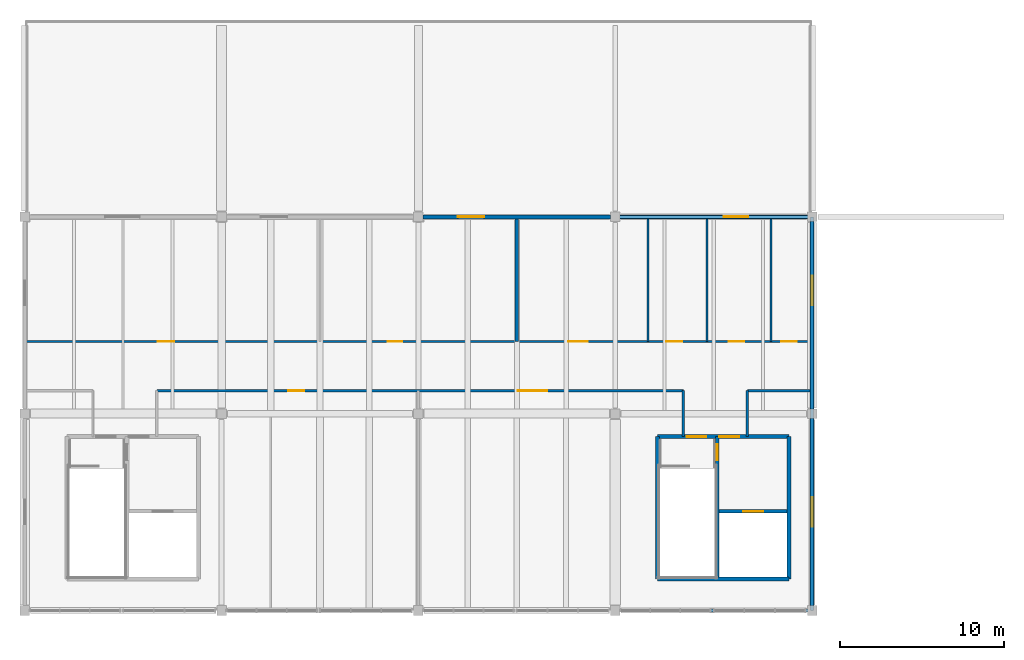
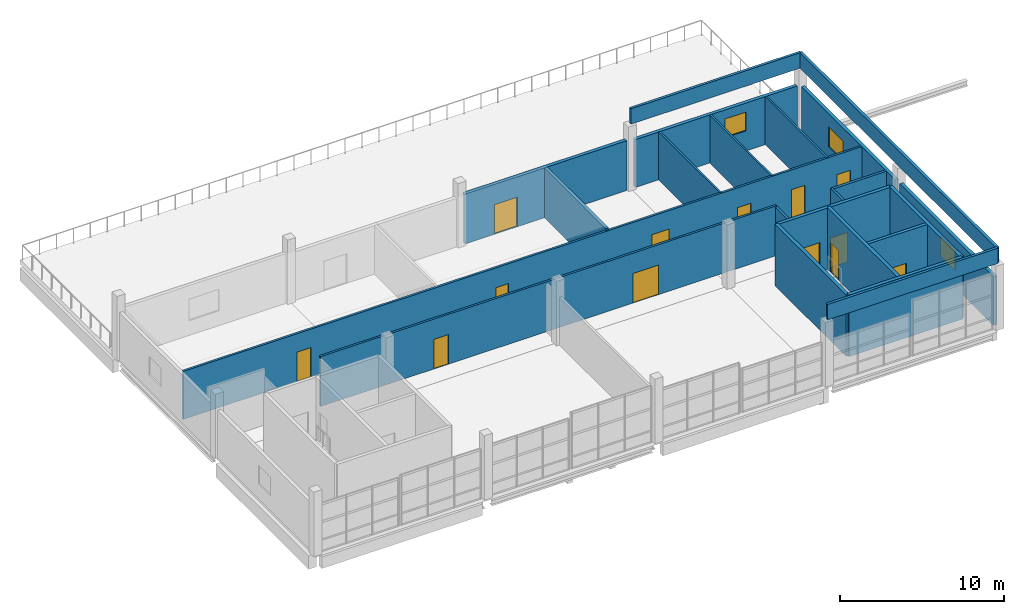
# One storey, part 7 of 8: 22 walls, 13 doors, 3 windows, 16 openings.
"""IFC4 building model written with IfcOpenShell, lengths in metres."""

from ifc_helpers import new_model, si_unit, direction, frame, frame_2d, origin, place, context, subcontext, project, spatial, rectangle, extrude, material, layer, layer_set, type_object, element, fill, save


model = new_model("IFC4")

# Units and contexts
model_context = context("Model", 3, precision=1e-05, world=origin(), true_north=direction((0.0, 1.0)))
body_context = subcontext(model_context, "Body", "Model", "MODEL_VIEW")
ifc_project = project(units=[si_unit("LENGTHUNIT", "METRE"), si_unit("AREAUNIT", "SQUARE_METRE"), si_unit("VOLUMEUNIT", "CUBIC_METRE"), si_unit("PLANEANGLEUNIT", "RADIAN"), si_unit("MASSUNIT", "GRAM", prefix="KILO")], contexts=[model_context])

# Site, building, storey
site_placement = place(None, origin())
site = spatial("IfcSite", under=ifc_project, at=site_placement, CompositionType="ELEMENT")
building_placement = place(site_placement, origin())
building = spatial("IfcBuilding", under=site, at=building_placement, Name="Kamomehara Wholesale Market", CompositionType="ELEMENT")
storey_placement = place(building_placement, frame((0.0, 0.0, 16.199951171875)))
storey = spatial("IfcBuildingStorey", under=building, at=storey_placement, Name="L03", CompositionType="ELEMENT", Elevation=16.199951171875)

# Wall, opening, door
ifc_material_1 = material(Name="Precast concrete Fc45 (C40/50)", Category="concrete")
ifc_layer_1 = layer(ifc_material_1, 0.239990234375)
ifc_layer_set_1 = layer_set([ifc_layer_1], Name="Precast concrete Fc45 (C40/50)")
wall_type_1 = type_object("IfcWallType", Name="EW-PC-240", PredefinedType="SOLIDWALL", material=ifc_layer_set_1)
wall_1_placement = place(storey_placement, frame((132.2900390625, 36.0, 0.0), z_axis=(0.0, 0.0, 1.0), x_axis=(1.0, 0.0, 0.0)))
wall_1 = element("IfcWall", 1, at=wall_1_placement, inside=storey, type_object=wall_type_1, Name="Exterior wall EW-PC-240 120", PredefinedType="SOLIDWALL", context=body_context, shape_type="SweptSolid", body=[
    extrude(rectangle(XDim=11.419921875, YDim=0.239990234375, at=frame_2d((5.7099609375, 0.0))), origin(), (0.0, 0.0, 1.0), 3.7080078125),
])
opening_1_placement = place(wall_1_placement, frame((2.110107421875, 0.0, 0.0)))
opening_1 = element("IfcOpeningElement", 2, at=opening_1_placement, cuts=wall_1, Name="Opening TD-L03-132", PredefinedType="OPENING", context=body_context, shape_type="SweptSolid", body=[
    extrude(rectangle(XDim=1.60009765625, YDim=2.199951171875, at=frame_2d((0.800048828125, 1.10009765625))), frame((0.0, 0.134765625, 0.0), z_axis=(0.0, -1.0, 0.0), x_axis=(1.0, 0.0, 0.0)), (0.0, 0.0, 1.0), 0.269775390625),
])
ifc_material_2 = material(Name="Anodised aluminium 6063-T5", Category="aluminium")
door_type_1 = type_object("IfcDoorType", Name="EDR-1600x2200", OperationType="NOTDEFINED", PredefinedType="DOOR", material=ifc_material_2)
door_1_placement = place(opening_1_placement, origin())
door_1 = element("IfcDoor", 3, at=door_1_placement, inside=storey, type_object=door_type_1, Name="Terrace 3 harbour-view door TD-L03-132", OperationType="SINGLE_SWING_LEFT", OverallHeight=2.199951171875, OverallWidth=1.60009765625, PredefinedType="DOOR", context=body_context, shape_type="SweptSolid", body=[
    extrude(rectangle(XDim=1.60009765625, YDim=2.199951171875, at=frame_2d((0.800048828125, 1.10009765625))), frame((0.0, 0.02490234375, 0.0), z_axis=(0.0, -1.0, 0.0), x_axis=(1.0, 0.0, 0.0)), (0.0, 0.0, 1.0), 0.050048828125),
])
fill(opening_1, door_1)

# Wall, opening, window
wall_2_placement = place(storey_placement, frame((144.2900390625, 36.0, 0.0), z_axis=(0.0, 0.0, 1.0), x_axis=(1.0, 0.0, 0.0)))
wall_2 = element("IfcWall", 4, at=wall_2_placement, inside=storey, type_object=wall_type_1, Name="Exterior wall EW-PC-240 121", PredefinedType="SOLIDWALL", context=body_context, shape_type="SweptSolid", body=[
    extrude(rectangle(XDim=11.419921875, YDim=0.239990234375, at=frame_2d((5.7099609375, 0.0))), origin(), (0.0, 0.0, 1.0), 3.568115234375),
])
opening_2_placement = place(wall_2_placement, frame((6.31005859375, 0.0, 1.5)))
opening_2 = element("IfcOpeningElement", 5, at=opening_2_placement, cuts=wall_2, Name="Opening WN-L03-035", PredefinedType="OPENING", context=body_context, shape_type="SweptSolid", body=[
    extrude(rectangle(XDim=1.5, YDim=1.39990234375, at=frame_2d((0.75, 0.699951171875))), frame((0.0, 0.134765625, 0.0), z_axis=(0.0, -1.0, 0.0), x_axis=(1.0, 0.0, 0.0)), (0.0, 0.0, 1.0), 0.269775390625),
])
ifc_material_3 = material(Name="Solar-control Low-E double glazing", Category="glass")
window_type_1 = type_object("IfcWindowType", Name="WIN-1500x1400", PartitioningType="SINGLE_PANEL", PredefinedType="WINDOW", material=ifc_material_3)
window_1_placement = place(opening_2_placement, origin())
window_1 = element("IfcWindow", 6, at=window_1_placement, inside=storey, type_object=window_type_1, Name="Exterior window WN-L03-035", OverallHeight=1.39990234375, OverallWidth=1.5, PartitioningType="SINGLE_PANEL", PredefinedType="WINDOW", context=body_context, shape_type="SweptSolid", body=[
    extrude(rectangle(XDim=1.5, YDim=1.39990234375, at=frame_2d((0.75, 0.699951171875))), frame((0.0, 0.030029296875, 0.0), z_axis=(0.0, -1.0, 0.0), x_axis=(1.0, 0.0, 0.0)), (0.0, 0.0, 1.0), 0.06005859375),
])
fill(opening_2, window_1)

wall_3_placement = place(storey_placement, frame((156.0, 23.7099609375, 0.0), z_axis=(0.0, 0.0, 1.0), x_axis=(0.0, -1.0, 0.0)))
wall_3 = element("IfcWall", 7, at=wall_3_placement, inside=storey, type_object=wall_type_1, Name="Exterior wall EW-PC-240 122", PredefinedType="SOLIDWALL", context=body_context, shape_type="SweptSolid", body=[
    extrude(rectangle(XDim=11.419921875, YDim=0.239990234375, at=frame_2d((5.7099609375, 0.0))), origin(), (0.0, 0.0, 1.0), 3.6181640625),
])
opening_3_placement = place(wall_3_placement, frame((4.81005859375, 0.0, 1.10009765625)))
opening_3 = element("IfcOpeningElement", 8, at=opening_3_placement, cuts=wall_3, Name="Opening WN-L03-036", PredefinedType="OPENING", context=body_context, shape_type="SweptSolid", body=[
    extrude(rectangle(XDim=1.800048828125, YDim=1.5, at=frame_2d((0.89990234375, 0.75))), frame((0.0, 0.134765625, 0.0), z_axis=(0.0, -1.0, 0.0), x_axis=(1.0, 0.0, 0.0)), (0.0, 0.0, 1.0), 0.269775390625),
])
ifc_material_4 = material(Name="Solar-control Low-E double glazing", Category="glass")
window_type_2 = type_object("IfcWindowType", Name="WIN-1800x1500", PartitioningType="SINGLE_PANEL", PredefinedType="WINDOW", material=ifc_material_4)
window_2_placement = place(opening_3_placement, origin())
window_2 = element("IfcWindow", 9, at=window_2_placement, inside=storey, type_object=window_type_2, Name="Exterior window WN-L03-036", OverallHeight=1.5, OverallWidth=1.800048828125, PartitioningType="SINGLE_PANEL", PredefinedType="WINDOW", context=body_context, shape_type="SweptSolid", body=[
    extrude(rectangle(XDim=1.800048828125, YDim=1.5, at=frame_2d((0.89990234375, 0.75))), frame((0.0, 0.030029296875, 0.0), z_axis=(0.0, -1.0, 0.0), x_axis=(1.0, 0.0, 0.0)), (0.0, 0.0, 1.0), 0.06005859375),
])
fill(opening_3, window_2)

wall_4_placement = place(storey_placement, frame((156.0, 35.7099609375, 0.0), z_axis=(0.0, 0.0, 1.0), x_axis=(0.0, -1.0, 0.0)))
wall_4 = element("IfcWall", 10, at=wall_4_placement, inside=storey, type_object=wall_type_1, Name="Exterior wall EW-PC-240 123", PredefinedType="SOLIDWALL", context=body_context, shape_type="SweptSolid", body=[
    extrude(rectangle(XDim=11.419921875, YDim=0.239990234375, at=frame_2d((5.7099609375, 0.0))), origin(), (0.0, 0.0, 1.0), 3.568115234375),
])
opening_4_placement = place(wall_4_placement, frame((3.31005859375, 0.0, 1.10009765625)))
opening_4 = element("IfcOpeningElement", 11, at=opening_4_placement, cuts=wall_4, Name="Opening WN-L03-037", PredefinedType="OPENING", context=body_context, shape_type="SweptSolid", body=[
    extrude(rectangle(XDim=1.800048828125, YDim=1.5, at=frame_2d((0.89990234375, 0.75))), frame((0.0, 0.134765625, 0.0), z_axis=(0.0, -1.0, 0.0), x_axis=(1.0, 0.0, 0.0)), (0.0, 0.0, 1.0), 0.269775390625),
])
window_3_placement = place(opening_4_placement, origin())
window_3 = element("IfcWindow", 12, at=window_3_placement, inside=storey, type_object=window_type_2, Name="Exterior window WN-L03-037", OverallHeight=1.5, OverallWidth=1.800048828125, PartitioningType="SINGLE_PANEL", PredefinedType="WINDOW", context=body_context, shape_type="SweptSolid", body=[
    extrude(rectangle(XDim=1.800048828125, YDim=1.5, at=frame_2d((0.89990234375, 0.75))), frame((0.0, 0.030029296875, 0.0), z_axis=(0.0, -1.0, 0.0), x_axis=(1.0, 0.0, 0.0)), (0.0, 0.0, 1.0), 0.06005859375),
])
fill(opening_4, window_3)

# Walls
ifc_material_5 = material(Name="Precast concrete Fc45 (C40/50)", Category="concrete")
ifc_layer_2 = layer(ifc_material_5, 0.179931640625)
ifc_layer_set_2 = layer_set([ifc_layer_2], Name="Precast concrete Fc45 (C40/50)")
wall_type_2 = type_object("IfcWallType", Name="EW-PRP-180", PredefinedType="PARAPET", material=ifc_layer_set_2)
for number, where, z_axis, x_axis, name in (
    (13, (144.0, 12.0, 4.800048828125), (0.0, 0.0, 1.0), (1.0, 0.0, 0.0), "Roof parapet 4"),
    (14, (156.0, 36.0, 4.800048828125), (0.0, 0.0, 1.0), (-1.0, 0.0, 0.0), "Roof parapet 6"),
):
    element("IfcWall", number, at=place(storey_placement, frame(where, z_axis=z_axis, x_axis=x_axis)), inside=storey, type_object=wall_type_2, Name=name, PredefinedType="PARAPET", context=body_context, shape_type="SweptSolid", body=[
        extrude(rectangle(XDim=12.0, YDim=0.179931640625, at=frame_2d((6.0, 0.0))), origin(), (0.0, 0.0, 1.0), 1.14990234375),
    ])
ifc_material_6 = material(Name="Precast concrete Fc45 (C40/50)", Category="concrete")
ifc_layer_3 = layer(ifc_material_6, 0.199951171875)
ifc_layer_set_3 = layer_set([ifc_layer_3], Name="Precast concrete Fc45 (C40/50)")
wall_type_3 = type_object("IfcWallType", Name="EW-PRP-200", PredefinedType="PARAPET", material=ifc_layer_set_3)
wall_5_placement = place(storey_placement, frame((156.0, 12.0, 4.800048828125), z_axis=(0.0, 0.0, 1.0), x_axis=(0.0, 1.0, 0.0)))
element("IfcWall", 15, at=wall_5_placement, inside=storey, type_object=wall_type_3, Name="Roof parapet 5", PredefinedType="PARAPET", context=body_context, shape_type="SweptSolid", body=[
    extrude(rectangle(XDim=24.0, YDim=0.199951171875, at=frame_2d((12.0, 0.0))), origin(), (0.0, 0.0, 1.0), 1.14990234375),
])
ifc_material_7 = material(Name="Gypsum board partition")
ifc_layer_4 = layer(ifc_material_7, 0.125)
ifc_layer_set_4 = layer_set([ifc_layer_4], Name="Gypsum board partition")
wall_type_4 = type_object("IfcWallType", Name="IW-PRT-125", PredefinedType="PARTITIONING", material=ifc_layer_set_4)
for number, where, z_axis, x_axis, name in (
    (16, (146.0, 28.39990234375, 0.0), (0.0, 0.0, 1.0), (0.0, 1.0, 0.0), "Interior wall IW-PRT-125 388"),
    (17, (149.60009765625, 28.39990234375, 0.0), (0.0, 0.0, 1.0), (0.0, 1.0, 0.0), "Interior wall IW-PRT-125 389"),
    (18, (153.5, 28.39990234375, 0.0), (0.0, 0.0, 1.0), (0.0, 1.0, 0.0), "Interior wall IW-PRT-125 390"),
):
    element("IfcWall", number, at=place(storey_placement, frame(where, z_axis=z_axis, x_axis=x_axis)), inside=storey, type_object=wall_type_4, Name=name, PredefinedType="PARTITIONING", context=body_context, shape_type="SweptSolid", body=[
        extrude(rectangle(XDim=7.47998046875, YDim=0.125, at=frame_2d((3.739990234375, 0.0))), origin(), (0.0, 0.0, 1.0), 3.572998046875),
    ])

# Wall, openings, doors
ifc_material_8 = material(Name="Gypsum board partition")
ifc_layer_5 = layer(ifc_material_8, 0.14990234375)
ifc_layer_set_5 = layer_set([ifc_layer_5], Name="Gypsum board partition")
wall_type_5 = type_object("IfcWallType", Name="IW-PRT-150", PredefinedType="PARTITIONING", material=ifc_layer_set_5)
wall_6_placement = place(storey_placement, frame((116.050048828125, 25.39990234375, 0.0), z_axis=(0.0, 0.0, 1.0), x_axis=(1.0, 0.0, 0.0)))
wall_6 = element("IfcWall", 19, at=wall_6_placement, inside=storey, type_object=wall_type_5, Name="Interior wall IW-PRT-150 380", PredefinedType="PARTITIONING", context=body_context, shape_type="SweptSolid", body=[
    extrude(rectangle(XDim=32.099853515625, YDim=0.14990234375, at=frame_2d((16.0498046875, 0.0))), origin(), (0.0, 0.0, 1.0), 3.713134765625),
])
opening_5_placement = place(wall_6_placement, frame((8.0, 0.0, 0.0)))
opening_5 = element("IfcOpeningElement", 20, at=opening_5_placement, cuts=wall_6, Name="Opening ID-L03-233", PredefinedType="OPENING", context=body_context, shape_type="SweptSolid", body=[
    extrude(rectangle(XDim=1.0, YDim=2.199951171875, at=frame_2d((0.5, 1.10009765625))), frame((0.0, 0.08984375, 0.0), z_axis=(0.0, -1.0, 0.0), x_axis=(1.0, 0.0, 0.0)), (0.0, 0.0, 1.0), 0.1796875),
])
opening_6_placement = place(wall_6_placement, frame((22.0, 0.0, 0.0)))
opening_6 = element("IfcOpeningElement", 21, at=opening_6_placement, cuts=wall_6, Name="Opening ID-L03-234", PredefinedType="OPENING", context=body_context, shape_type="SweptSolid", body=[
    extrude(rectangle(XDim=1.800048828125, YDim=2.199951171875, at=frame_2d((0.89990234375, 1.10009765625))), frame((0.0, 0.08984375, 0.0), z_axis=(0.0, -1.0, 0.0), x_axis=(1.0, 0.0, 0.0)), (0.0, 0.0, 1.0), 0.1796875),
])
ifc_material_9 = material(Name="Steel SN400B", Category="steel")
door_type_2 = type_object("IfcDoorType", Name="IDR-FD-1800x2200", OperationType="NOTDEFINED", PredefinedType="DOOR", material=ifc_material_9)
door_2_placement = place(opening_6_placement, origin())
door_2 = element("IfcDoor", 22, at=door_2_placement, inside=storey, type_object=door_type_2, Name="Interior door ID-L03-234", OperationType="SINGLE_SWING_RIGHT", OverallHeight=2.199951171875, OverallWidth=1.800048828125, PredefinedType="DOOR", context=body_context, shape_type="SweptSolid", body=[
    extrude(rectangle(XDim=1.800048828125, YDim=2.199951171875, at=frame_2d((0.89990234375, 1.10009765625))), frame((0.0, 0.02490234375, 0.0), z_axis=(0.0, -1.0, 0.0), x_axis=(1.0, 0.0, 0.0)), (0.0, 0.0, 1.0), 0.050048828125),
])
fill(opening_6, door_2)
ifc_material_10 = material(Name="Anodised aluminium 6063-T5", Category="aluminium")
door_type_3 = type_object("IfcDoorType", Name="IDR-RM-1000x2200", OperationType="NOTDEFINED", PredefinedType="DOOR", material=ifc_material_10)
door_3_placement = place(opening_5_placement, origin())
door_3 = element("IfcDoor", 23, at=door_3_placement, inside=storey, type_object=door_type_3, Name="Interior door ID-L03-233", OperationType="SINGLE_SWING_LEFT", OverallHeight=2.199951171875, OverallWidth=1.0, PredefinedType="DOOR", context=body_context, shape_type="SweptSolid", body=[
    extrude(rectangle(XDim=1.0, YDim=2.199951171875, at=frame_2d((0.5, 1.10009765625))), frame((0.0, 0.02490234375, 0.0), z_axis=(0.0, -1.0, 0.0), x_axis=(1.0, 0.0, 0.0)), (0.0, 0.0, 1.0), 0.050048828125),
])
fill(opening_5, door_3)

# Walls
for number, where, z_axis, x_axis, name in (
    (24, (148.14990234375, 22.60009765625, 0.0), (0.0, 0.0, 1.0), (0.0, 1.0, 0.0), "Interior wall IW-PRT-150 381"),
    (25, (152.050048828125, 22.60009765625, 0.0), (0.0, 0.0, 1.0), (0.0, 1.0, 0.0), "Interior wall IW-PRT-150 382"),
):
    element("IfcWall", number, at=place(storey_placement, frame(where, z_axis=z_axis, x_axis=x_axis)), inside=storey, type_object=wall_type_5, Name=name, PredefinedType="PARTITIONING", context=body_context, shape_type="SweptSolid", body=[
        extrude(rectangle(XDim=2.7998046875, YDim=0.14990234375, at=frame_2d((1.39990234375, 0.0))), origin(), (0.0, 0.0, 1.0), 3.623046875),
    ])

# Wall, openings, doors
wall_7_placement = place(storey_placement, frame((108.1201171875, 28.39990234375, 0.0), z_axis=(0.0, 0.0, 1.0), x_axis=(1.0, 0.0, 0.0)))
wall_7 = element("IfcWall", 26, at=wall_7_placement, inside=storey, type_object=wall_type_5, Name="Interior wall IW-PRT-150 384", PredefinedType="PARTITIONING", context=body_context, shape_type="SweptSolid", body=[
    extrude(rectangle(XDim=47.759765625, YDim=0.14990234375, at=frame_2d((23.8798828125, 0.0))), origin(), (0.0, 0.0, 1.0), 3.572998046875),
])
opening_7_placement = place(wall_7_placement, frame((8.0, 0.0, 0.0)))
opening_7 = element("IfcOpeningElement", 27, at=opening_7_placement, cuts=wall_7, Name="Opening ID-L03-235", PredefinedType="OPENING", context=body_context, shape_type="SweptSolid", body=[
    extrude(rectangle(XDim=1.0, YDim=2.199951171875, at=frame_2d((0.5, 1.10009765625))), frame((0.0, 0.08984375, 0.0), z_axis=(0.0, -1.0, 0.0), x_axis=(1.0, 0.0, 0.0)), (0.0, 0.0, 1.0), 0.1796875),
])
opening_8_placement = place(wall_7_placement, frame((22.0, 0.0, 0.0)))
opening_8 = element("IfcOpeningElement", 28, at=opening_8_placement, cuts=wall_7, Name="Opening ID-L03-236", PredefinedType="OPENING", context=body_context, shape_type="SweptSolid", body=[
    extrude(rectangle(XDim=0.89990234375, YDim=2.10009765625, at=frame_2d((0.449951171875, 1.050048828125))), frame((0.0, 0.08984375, 0.0), z_axis=(0.0, -1.0, 0.0), x_axis=(1.0, 0.0, 0.0)), (0.0, 0.0, 1.0), 0.1796875),
])
opening_9_placement = place(wall_7_placement, frame((33.0, 0.0, 0.0)))
opening_9 = element("IfcOpeningElement", 29, at=opening_9_placement, cuts=wall_7, Name="Opening ID-L03-237", PredefinedType="OPENING", context=body_context, shape_type="SweptSolid", body=[
    extrude(rectangle(XDim=1.199951171875, YDim=2.199951171875, at=frame_2d((0.60009765625, 1.10009765625))), frame((0.0, 0.08984375, 0.0), z_axis=(0.0, -1.0, 0.0), x_axis=(1.0, 0.0, 0.0)), (0.0, 0.0, 1.0), 0.1796875),
])
opening_10_placement = place(wall_7_placement, frame((39.0, 0.0, 0.0)))
opening_10 = element("IfcOpeningElement", 30, at=opening_10_placement, cuts=wall_7, Name="Opening ID-L03-238", PredefinedType="OPENING", context=body_context, shape_type="SweptSolid", body=[
    extrude(rectangle(XDim=0.949951171875, YDim=2.10009765625, at=frame_2d((0.47509765625, 1.050048828125))), frame((0.0, 0.08984375, 0.0), z_axis=(0.0, -1.0, 0.0), x_axis=(1.0, 0.0, 0.0)), (0.0, 0.0, 1.0), 0.1796875),
])
opening_11_placement = place(wall_7_placement, frame((42.800048828125, 0.0, 0.0)))
opening_11 = element("IfcOpeningElement", 31, at=opening_11_placement, cuts=wall_7, Name="Opening ID-L03-239", PredefinedType="OPENING", context=body_context, shape_type="SweptSolid", body=[
    extrude(rectangle(XDim=0.949951171875, YDim=2.10009765625, at=frame_2d((0.47509765625, 1.050048828125))), frame((0.0, 0.08984375, 0.0), z_axis=(0.0, -1.0, 0.0), x_axis=(1.0, 0.0, 0.0)), (0.0, 0.0, 1.0), 0.1796875),
])
opening_12_placement = place(wall_7_placement, frame((46.0, 0.0, 0.0)))
opening_12 = element("IfcOpeningElement", 32, at=opening_12_placement, cuts=wall_7, Name="Opening ID-L03-240", PredefinedType="OPENING", context=body_context, shape_type="SweptSolid", body=[
    extrude(rectangle(XDim=0.949951171875, YDim=2.10009765625, at=frame_2d((0.47509765625, 1.050048828125))), frame((0.0, 0.08984375, 0.0), z_axis=(0.0, -1.0, 0.0), x_axis=(1.0, 0.0, 0.0)), (0.0, 0.0, 1.0), 0.1796875),
])
ifc_material_11 = material(Name="Steel SN400B", Category="steel")
door_type_4 = type_object("IfcDoorType", Name="IDR-FD-1200x2200", OperationType="NOTDEFINED", PredefinedType="DOOR", material=ifc_material_11)
door_4_placement = place(opening_9_placement, origin())
door_4 = element("IfcDoor", 33, at=door_4_placement, inside=storey, type_object=door_type_4, Name="Interior door ID-L03-237", OperationType="SINGLE_SWING_LEFT", OverallHeight=2.199951171875, OverallWidth=1.199951171875, PredefinedType="DOOR", context=body_context, shape_type="SweptSolid", body=[
    extrude(rectangle(XDim=1.199951171875, YDim=2.199951171875, at=frame_2d((0.60009765625, 1.10009765625))), frame((0.0, 0.02490234375, 0.0), z_axis=(0.0, -1.0, 0.0), x_axis=(1.0, 0.0, 0.0)), (0.0, 0.0, 1.0), 0.050048828125),
])
fill(opening_9, door_4)
door_5_placement = place(opening_7_placement, origin())
door_5 = element("IfcDoor", 34, at=door_5_placement, inside=storey, type_object=door_type_3, Name="Interior door ID-L03-235", OperationType="SINGLE_SWING_LEFT", OverallHeight=2.199951171875, OverallWidth=1.0, PredefinedType="DOOR", context=body_context, shape_type="SweptSolid", body=[
    extrude(rectangle(XDim=1.0, YDim=2.199951171875, at=frame_2d((0.5, 1.10009765625))), frame((0.0, 0.02490234375, 0.0), z_axis=(0.0, -1.0, 0.0), x_axis=(1.0, 0.0, 0.0)), (0.0, 0.0, 1.0), 0.050048828125),
])
fill(opening_7, door_5)
ifc_material_12 = material(Name="Anodised aluminium 6063-T5", Category="aluminium")
door_type_5 = type_object("IfcDoorType", Name="IDR-RM-900x2100", OperationType="NOTDEFINED", PredefinedType="DOOR", material=ifc_material_12)
door_6_placement = place(opening_8_placement, origin())
door_6 = element("IfcDoor", 35, at=door_6_placement, inside=storey, type_object=door_type_5, Name="Interior door ID-L03-236", OperationType="SINGLE_SWING_RIGHT", OverallHeight=2.10009765625, OverallWidth=0.89990234375, PredefinedType="DOOR", context=body_context, shape_type="SweptSolid", body=[
    extrude(rectangle(XDim=0.89990234375, YDim=2.10009765625, at=frame_2d((0.449951171875, 1.050048828125))), frame((0.0, 0.02490234375, 0.0), z_axis=(0.0, -1.0, 0.0), x_axis=(1.0, 0.0, 0.0)), (0.0, 0.0, 1.0), 0.050048828125),
])
fill(opening_8, door_6)
ifc_material_13 = material(Name="Anodised aluminium 6063-T5", Category="aluminium")
door_type_6 = type_object("IfcDoorType", Name="IDR-WC-950x2100", OperationType="NOTDEFINED", PredefinedType="DOOR", material=ifc_material_13)
door_7_placement = place(opening_10_placement, origin())
door_7 = element("IfcDoor", 36, at=door_7_placement, inside=storey, type_object=door_type_6, Name="Interior door ID-L03-238", OperationType="SINGLE_SWING_RIGHT", OverallHeight=2.10009765625, OverallWidth=0.949951171875, PredefinedType="DOOR", context=body_context, shape_type="SweptSolid", body=[
    extrude(rectangle(XDim=0.949951171875, YDim=2.10009765625, at=frame_2d((0.47509765625, 1.050048828125))), frame((0.0, 0.02490234375, 0.0), z_axis=(0.0, -1.0, 0.0), x_axis=(1.0, 0.0, 0.0)), (0.0, 0.0, 1.0), 0.050048828125),
])
fill(opening_10, door_7)
door_8_placement = place(opening_11_placement, origin())
door_8 = element("IfcDoor", 37, at=door_8_placement, inside=storey, type_object=door_type_6, Name="Interior door ID-L03-239", OperationType="SINGLE_SWING_LEFT", OverallHeight=2.10009765625, OverallWidth=0.949951171875, PredefinedType="DOOR", context=body_context, shape_type="SweptSolid", body=[
    extrude(rectangle(XDim=0.949951171875, YDim=2.10009765625, at=frame_2d((0.47509765625, 1.050048828125))), frame((0.0, 0.02490234375, 0.0), z_axis=(0.0, -1.0, 0.0), x_axis=(1.0, 0.0, 0.0)), (0.0, 0.0, 1.0), 0.050048828125),
])
fill(opening_11, door_8)
door_9_placement = place(opening_12_placement, origin())
door_9 = element("IfcDoor", 38, at=door_9_placement, inside=storey, type_object=door_type_6, Name="Interior door ID-L03-240", OperationType="SINGLE_SWING_RIGHT", OverallHeight=2.10009765625, OverallWidth=0.949951171875, PredefinedType="DOOR", context=body_context, shape_type="SweptSolid", body=[
    extrude(rectangle(XDim=0.949951171875, YDim=2.10009765625, at=frame_2d((0.47509765625, 1.050048828125))), frame((0.0, 0.02490234375, 0.0), z_axis=(0.0, -1.0, 0.0), x_axis=(1.0, 0.0, 0.0)), (0.0, 0.0, 1.0), 0.050048828125),
])
fill(opening_12, door_9)

# Walls
ifc_material_14 = material(Name="Gypsum board partition")
ifc_layer_6 = layer(ifc_material_14, 0.175048828125)
ifc_layer_set_6 = layer_set([ifc_layer_6], Name="Gypsum board partition")
wall_type_6 = type_object("IfcWallType", Name="IW-PRT-175", PredefinedType="PARTITIONING", material=ifc_layer_set_6)
wall_8_placement = place(storey_placement, frame((152.050048828125, 25.39990234375, 0.0), z_axis=(0.0, 0.0, 1.0), x_axis=(1.0, 0.0, 0.0)))
element("IfcWall", 39, at=wall_8_placement, inside=storey, type_object=wall_type_6, Name="Interior wall IW-PRT-175 383", PredefinedType="PARTITIONING", context=body_context, shape_type="SweptSolid", body=[
    extrude(rectangle(XDim=3.829833984375, YDim=0.175048828125, at=frame_2d((1.9150390625, 0.0))), origin(), (0.0, 0.0, 1.0), 3.572998046875),
])
ifc_material_15 = material(Name="Gypsum board partition")
ifc_layer_7 = layer(ifc_material_15, 0.199951171875)
ifc_layer_set_7 = layer_set([ifc_layer_7], Name="Gypsum board partition")
wall_type_7 = type_object("IfcWallType", Name="IW-PRT-200", PredefinedType="PARTITIONING", material=ifc_layer_set_7)
wall_9_placement = place(storey_placement, frame((138.0, 28.39990234375, 0.0), z_axis=(0.0, 0.0, 1.0), x_axis=(0.0, 1.0, 0.0)))
element("IfcWall", 40, at=wall_9_placement, inside=storey, type_object=wall_type_7, Name="Interior wall IW-PRT-200 387", PredefinedType="PARTITIONING", context=body_context, shape_type="SweptSolid", body=[
    extrude(rectangle(XDim=7.47998046875, YDim=0.199951171875, at=frame_2d((3.739990234375, 0.0))), origin(), (0.0, 0.0, 1.0), 3.713134765625),
])

# Wall, opening, door
ifc_material_16 = material(Name="Concrete Fc36 (C35/45)", Category="concrete")
ifc_layer_8 = layer(ifc_material_16, 0.219970703125)
ifc_layer_set_8 = layer_set([ifc_layer_8], Name="Concrete Fc36 (C35/45)")
wall_type_8 = type_object("IfcWallType", Name="IW-SHR-220", PredefinedType="SHEAR", material=ifc_layer_set_8)
wall_10_placement = place(storey_placement, frame((150.340087890625, 18.0400390625, 0.0), z_axis=(0.0, 0.0, 1.0), x_axis=(1.0, 0.0, 0.0)))
wall_10 = element("IfcWall", 41, at=wall_10_placement, inside=storey, type_object=wall_type_8, Name="Interior wall IW-SHR-220 132", PredefinedType="SHEAR", context=body_context, shape_type="SweptSolid", body=[
    extrude(rectangle(XDim=4.139892578125, YDim=0.219970703125, at=frame_2d((2.06982421875, 0.0))), origin(), (0.0, 0.0, 1.0), 4.580078125),
])
opening_13_placement = place(wall_10_placement, frame((1.469970703125, 0.0, 0.0)))
opening_13 = element("IfcOpeningElement", 42, at=opening_13_placement, cuts=wall_10, Name="Opening LD-LP-04-L03", PredefinedType="OPENING", context=body_context, shape_type="SweptSolid", body=[
    extrude(rectangle(XDim=1.199951171875, YDim=2.199951171875, at=frame_2d((0.60009765625, 1.10009765625))), frame((0.0, 0.125, 0.0), z_axis=(0.0, -1.0, 0.0), x_axis=(1.0, 0.0, 0.0)), (0.0, 0.0, 1.0), 0.249755859375),
])
ifc_material_17 = material(Name="Steel SN400B", Category="steel")
door_type_7 = type_object("IfcDoorType", Name="LDR-PAX-1200x2200", OperationType="DOUBLE_DOOR_SLIDING", PredefinedType="DOOR", material=ifc_material_17)
door_10_placement = place(opening_13_placement, origin())
door_10 = element("IfcDoor", 43, at=door_10_placement, inside=storey, type_object=door_type_7, Name="Lift sliding landing door LD-LP-04-L03", OperationType="DOUBLE_DOOR_SLIDING", OverallHeight=2.199951171875, OverallWidth=1.199951171875, PredefinedType="DOOR", context=body_context, shape_type="SweptSolid", body=[
    extrude(rectangle(XDim=1.199951171875, YDim=2.199951171875, at=frame_2d((0.60009765625, 1.10009765625))), frame((0.0, 0.02490234375, 0.0), z_axis=(0.0, -1.0, 0.0), x_axis=(1.0, 0.0, 0.0)), (0.0, 0.0, 1.0), 0.050048828125),
])
fill(opening_13, door_10)

# Walls
ifc_material_18 = material(Name="Concrete Fc36 (C35/45)", Category="concrete")
ifc_layer_9 = layer(ifc_material_18, 0.239990234375)
ifc_layer_set_9 = layer_set([ifc_layer_9], Name="Concrete Fc36 (C35/45)")
wall_type_9 = type_object("IfcWallType", Name="IW-SHR-240", PredefinedType="SHEAR", material=ifc_layer_set_9)
wall_11_placement = place(storey_placement, frame((146.580078125, 22.60009765625, 0.0), z_axis=(0.0, 0.0, 1.0), x_axis=(0.0, -1.0, 0.0)))
element("IfcWall", 44, at=wall_11_placement, inside=storey, type_object=wall_type_9, Name="Interior wall IW-SHR-240 127", PredefinedType="SHEAR", context=body_context, shape_type="SweptSolid", body=[
    extrude(rectangle(XDim=8.670166015625, YDim=0.239990234375, at=frame_2d((4.3349609375, 0.0))), origin(), (0.0, 0.0, 1.0), 4.580078125),
])
wall_12_placement = place(storey_placement, frame((146.580078125, 13.929931640625, 0.0), z_axis=(0.0, 0.0, 1.0), x_axis=(1.0, 0.0, 0.0)))
element("IfcWall", 45, at=wall_12_placement, inside=storey, type_object=wall_type_9, Name="Interior wall IW-SHR-240 128", PredefinedType="SHEAR", context=body_context, shape_type="SweptSolid", body=[
    extrude(rectangle(XDim=8.02001953125, YDim=0.239990234375, at=frame_2d((4.010009765625, 0.0))), origin(), (0.0, 0.0, 1.0), 4.580078125),
])

# Wall, opening, door
wall_13_placement = place(storey_placement, frame((150.219970703125, 13.929931640625, 0.0), z_axis=(0.0, 0.0, 1.0), x_axis=(0.0, 1.0, 0.0)))
wall_13 = element("IfcWall", 46, at=wall_13_placement, inside=storey, type_object=wall_type_9, Name="Interior wall IW-SHR-240 129", PredefinedType="SHEAR", context=body_context, shape_type="SweptSolid", body=[
    extrude(rectangle(XDim=8.670166015625, YDim=0.239990234375, at=frame_2d((4.3349609375, 0.0))), origin(), (0.0, 0.0, 1.0), 4.580078125),
])
opening_14_placement = place(wall_13_placement, frame((7.219970703125, 0.0, 0.0)))
opening_14 = element("IfcOpeningElement", 47, at=opening_14_placement, cuts=wall_13, Name="Opening FD-L03-C8I", PredefinedType="OPENING", context=body_context, shape_type="SweptSolid", body=[
    extrude(rectangle(XDim=1.0, YDim=2.199951171875, at=frame_2d((0.5, 1.10009765625))), frame((0.0, 0.134765625, 0.0), z_axis=(0.0, -1.0, 0.0), x_axis=(1.0, 0.0, 0.0)), (0.0, 0.0, 1.0), 0.269775390625),
])
door_11_placement = place(opening_14_placement, origin())
door_11 = element("IfcDoor", 48, at=door_11_placement, inside=storey, type_object=door_type_3, Name="Core lobby-stair fire door FD-L03-C8I", OperationType="SINGLE_SWING_RIGHT", OverallHeight=2.199951171875, OverallWidth=1.0, PredefinedType="DOOR", context=body_context, shape_type="SweptSolid", body=[
    extrude(rectangle(XDim=1.0, YDim=2.199951171875, at=frame_2d((0.5, 1.10009765625))), frame((0.0, 0.02490234375, 0.0), z_axis=(0.0, -1.0, 0.0), x_axis=(1.0, 0.0, 0.0)), (0.0, 0.0, 1.0), 0.050048828125),
])
fill(opening_14, door_11)

# Wall
wall_14_placement = place(storey_placement, frame((154.60009765625, 13.929931640625, 0.0), z_axis=(0.0, 0.0, 1.0), x_axis=(0.0, 1.0, 0.0)))
element("IfcWall", 49, at=wall_14_placement, inside=storey, type_object=wall_type_9, Name="Interior wall IW-SHR-240 130", PredefinedType="SHEAR", context=body_context, shape_type="SweptSolid", body=[
    extrude(rectangle(XDim=8.670166015625, YDim=0.239990234375, at=frame_2d((4.3349609375, 0.0))), origin(), (0.0, 0.0, 1.0), 4.580078125),
])

# Wall, openings, doors
wall_15_placement = place(storey_placement, frame((146.580078125, 22.60009765625, 0.0), z_axis=(0.0, 0.0, 1.0), x_axis=(1.0, 0.0, 0.0)))
wall_15 = element("IfcWall", 50, at=wall_15_placement, inside=storey, type_object=wall_type_9, Name="Interior wall IW-SHR-240 131", PredefinedType="SHEAR", context=body_context, shape_type="SweptSolid", body=[
    extrude(rectangle(XDim=8.02001953125, YDim=0.239990234375, at=frame_2d((4.010009765625, 0.0))), origin(), (0.0, 0.0, 1.0), 4.580078125),
])
opening_15_placement = place(wall_15_placement, frame((1.77001953125, 0.0, 0.0)))
opening_15 = element("IfcOpeningElement", 51, at=opening_15_placement, cuts=wall_15, Name="Opening FD-L03-C8S", PredefinedType="OPENING", context=body_context, shape_type="SweptSolid", body=[
    extrude(rectangle(XDim=1.199951171875, YDim=2.199951171875, at=frame_2d((0.60009765625, 1.10009765625))), frame((0.0, 0.134765625, 0.0), z_axis=(0.0, -1.0, 0.0), x_axis=(1.0, 0.0, 0.0)), (0.0, 0.0, 1.0), 0.269775390625),
])
opening_16_placement = place(wall_15_placement, frame((3.77001953125, 0.0, 0.0)))
opening_16 = element("IfcOpeningElement", 52, at=opening_16_placement, cuts=wall_15, Name="Opening FD-L03-C8L", PredefinedType="OPENING", context=body_context, shape_type="SweptSolid", body=[
    extrude(rectangle(XDim=1.199951171875, YDim=2.199951171875, at=frame_2d((0.60009765625, 1.10009765625))), frame((0.0, 0.134765625, 0.0), z_axis=(0.0, -1.0, 0.0), x_axis=(1.0, 0.0, 0.0)), (0.0, 0.0, 1.0), 0.269775390625),
])
door_12_placement = place(opening_15_placement, origin())
door_12 = element("IfcDoor", 53, at=door_12_placement, inside=storey, type_object=door_type_4, Name="Stair fire door FD-L03-C8S", OperationType="SINGLE_SWING_LEFT", OverallHeight=2.199951171875, OverallWidth=1.199951171875, PredefinedType="DOOR", context=body_context, shape_type="SweptSolid", body=[
    extrude(rectangle(XDim=1.199951171875, YDim=2.199951171875, at=frame_2d((0.60009765625, 1.10009765625))), frame((0.0, 0.02490234375, 0.0), z_axis=(0.0, -1.0, 0.0), x_axis=(1.0, 0.0, 0.0)), (0.0, 0.0, 1.0), 0.050048828125),
])
fill(opening_15, door_12)
door_13_placement = place(opening_16_placement, origin())
door_13 = element("IfcDoor", 54, at=door_13_placement, inside=storey, type_object=door_type_4, Name="Lift lobby fire door FD-L03-C8L", OperationType="SINGLE_SWING_RIGHT", OverallHeight=2.199951171875, OverallWidth=1.199951171875, PredefinedType="DOOR", context=body_context, shape_type="SweptSolid", body=[
    extrude(rectangle(XDim=1.199951171875, YDim=2.199951171875, at=frame_2d((0.60009765625, 1.10009765625))), frame((0.0, 0.02490234375, 0.0), z_axis=(0.0, -1.0, 0.0), x_axis=(1.0, 0.0, 0.0)), (0.0, 0.0, 1.0), 0.050048828125),
])
fill(opening_16, door_13)

save(model, "model.ifc")
